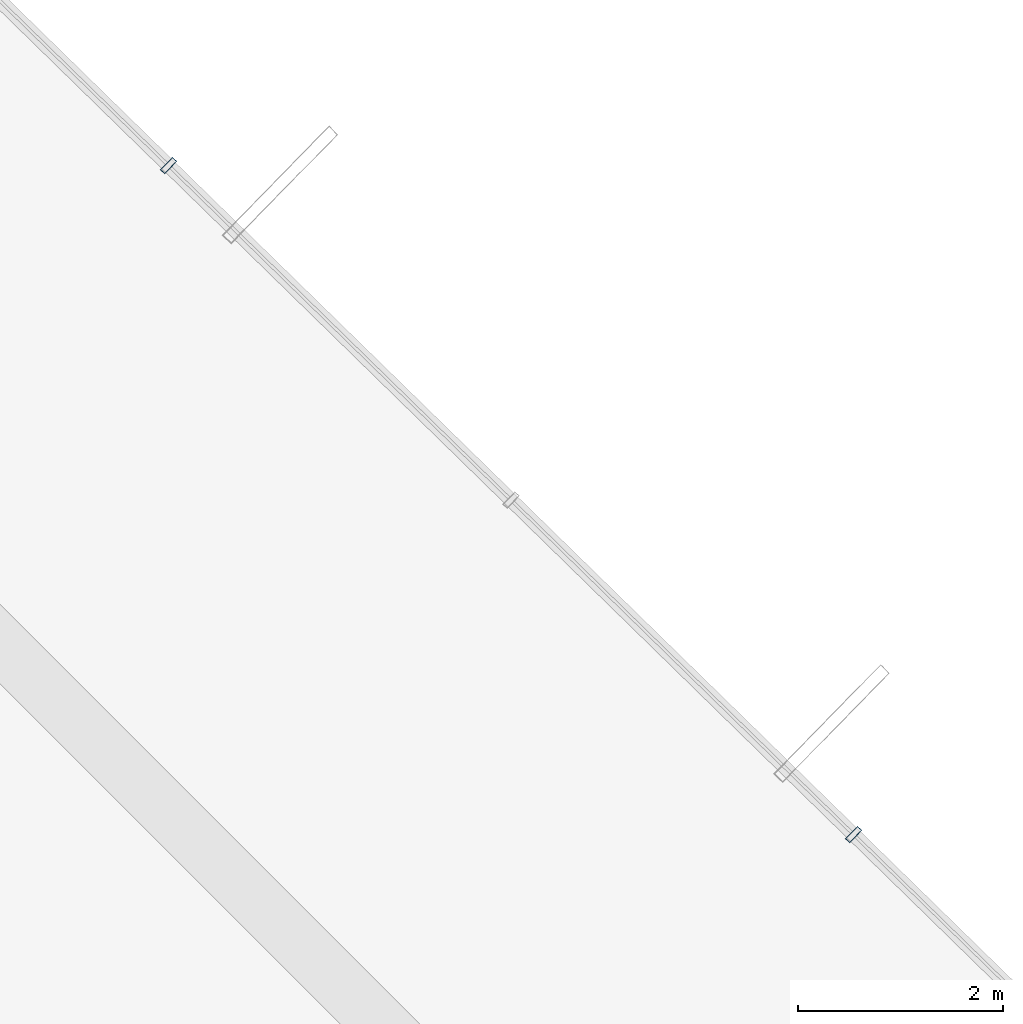
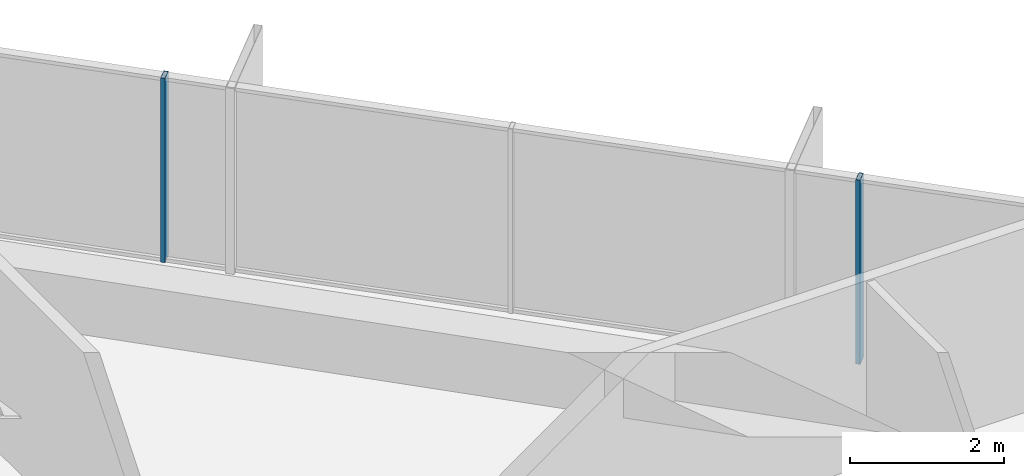
# One storey, part 32 of 39: 2 members, 1 element without a shape of its own.
"""IFC4 building model written with IfcOpenShell, lengths in metres."""

from ifc_helpers import new_model, si_unit, direction, frame, origin, origin_2d, place, context, subcontext, project, spatial, hollow_rectangle, extrude, source, transform, mapped, material, layer, layer_set, material_profile, profile_set, type_object, element, aggregate, save


model = new_model("IFC4")

# Units and contexts
model_context = context("Model", 3, precision=1e-05, world=origin(), true_north=direction((0.0, 1.0)))
body_context = subcontext(model_context, "Body", "Model", "MODEL_VIEW")
ifc_project = project(units=[si_unit("LENGTHUNIT", "METRE"), si_unit("AREAUNIT", "SQUARE_METRE"), si_unit("VOLUMEUNIT", "CUBIC_METRE"), si_unit("PLANEANGLEUNIT", "RADIAN"), si_unit("MASSUNIT", "GRAM", prefix="KILO")], contexts=[model_context])

# Site, building, storey
site_placement = place(None, origin())
site = spatial("IfcSite", under=ifc_project, at=site_placement, CompositionType="ELEMENT")
building_placement = place(site_placement, origin())
building = spatial("IfcBuilding", under=site, at=building_placement, Name="Veraguas Prism Commons", CompositionType="ELEMENT")
storey_placement = place(building_placement, frame((0.0, 0.0, 77.10009765625)))
storey = spatial("IfcBuildingStorey", under=building, at=storey_placement, Name="L21", CompositionType="ELEMENT", Elevation=77.10009765625)

# Curtain wall, members
ifc_material = material(Name="Anodised aluminium EN AW-6063 T6", Category="aluminium")
ifc_layer = layer(ifc_material, 0.169921875, Name="Unitised Flush Curtain Wall Zone 1", Category="aluminium")
ifc_layer_set = layer_set([ifc_layer], Name="Anodised aluminium EN AW-6063 T6")
curtain_wall_type = type_object("IfcCurtainWallType", Name="Unitised Flush Curtain Wall Zone 1", PredefinedType="NOTDEFINED", material=ifc_layer_set)
curtain_wall_placement = place(storey_placement, origin())
curtain_wall = element("IfcCurtainWall", 1, at=curtain_wall_placement, inside=storey, type_object=curtain_wall_type, Name="Tower Facade Curtain Wall L21-F1", PredefinedType="NOTDEFINED")
ifc_material_profile = material_profile(ifc_material, hollow_rectangle(XDim=0.06005859375, YDim=0.169921875, WallThickness=0.00390625, at=origin_2d()), Name="AL60X170X4")
ifc_profile_set = profile_set([ifc_material_profile], Name="Anodised aluminium EN AW-6063 T6")
member_type = type_object("IfcMemberType", Name="Curtain Wall Mullion Lower AL 60x170x4", PredefinedType="MULLION", material=ifc_profile_set)
shared_shape = source(origin(), body_context, "Body", "SweptSolid", [
    extrude(hollow_rectangle(XDim=0.06005859375, YDim=0.169921875, WallThickness=0.00390625, at=origin_2d()), origin(), (0.0, 0.0, 1.0), 2.929931640625),
])
member_1_placement = place(storey_placement, frame((41.86328125, 35.60693359375, 0.0), z_axis=(0.0, 0.0, 1.0), x_axis=(-0.715448897181, 0.698665066769, 0.0)))
member_1 = element("IfcMember", 2, at=member_1_placement, type_object=member_type, Name="CW-Z1 Mullion 2", PredefinedType="MULLION", context=body_context, shape_type="MappedRepresentation", body=[
    mapped(shared_shape, transform((0.0, 0.0, 0.0), scale=1.0)),
])
member_2_placement = place(storey_placement, frame((35.1796875, 42.1337890625, 0.0), z_axis=(0.0, 0.0, 1.0), x_axis=(-0.715448897181, 0.698665066769, 0.0)))
member_2 = element("IfcMember", 3, at=member_2_placement, type_object=member_type, Name="CW-Z1 Mullion 4", PredefinedType="MULLION", context=body_context, shape_type="MappedRepresentation", body=[
    mapped(shared_shape, transform((0.0, 0.0, 0.0), scale=1.0)),
])
aggregate(curtain_wall, [member_1, member_2])

save(model, "model.ifc")
